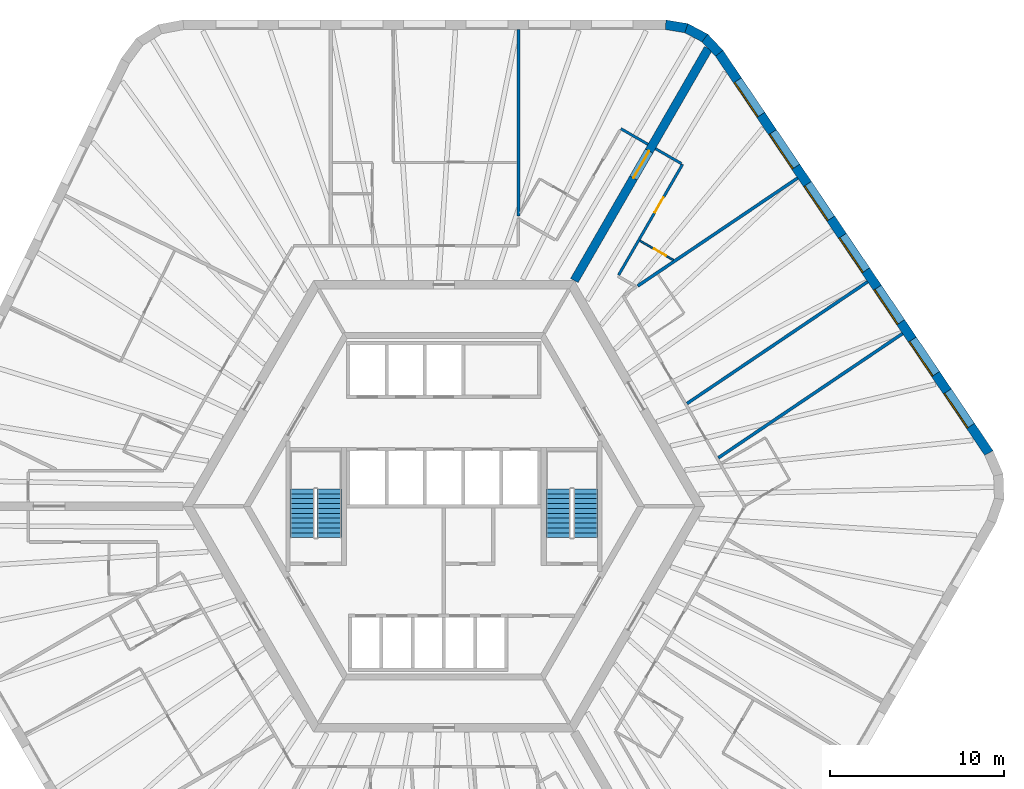
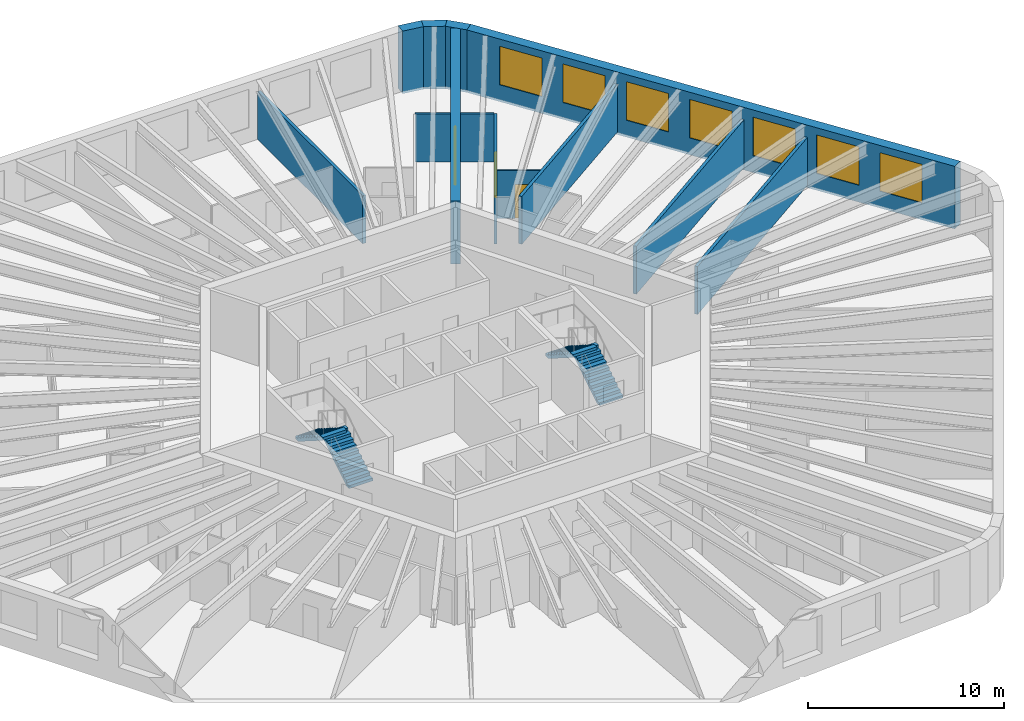
# One storey, part 9 of 10: 13 walls, 7 windows, 4 stair flights, 3 doors, 10 openings, 2 elements without a shape of their own.
"""IFC4 building model written with IfcOpenShell, lengths in metres."""

import ifcopenshell
import ifcopenshell.guid

model = None  # the IFC model being written
_history = None  # IfcOwnerHistory: only IFC2X3 demands one
_inside = {}  # id of a spatial element -> (the spatial element, [elements in it])
_under = {}  # id of a project, library or spatial element -> (it, [spatial elements below it])
_declared = {}  # id of a project -> (the project, [libraries it declares])
_typed = {}  # id of a type object -> (the type object, [elements of that type])
_made_of = {}  # id of a material, layer set ... -> (it, [elements and type objects made of it])


def new_model(schema):
    """Start an empty IFC model of exactly this schema.

    Asked for "IFC4X3", IfcOpenShell would pick the latest addendum, in which some entities
    have other attributes; the version numbers below select the first issue.
    IFC2X3 requires an IfcOwnerHistory on every rooted entity: one is made here for all.
    """
    global model, _history
    if schema == "IFC4X3":
        model = ifcopenshell.file(schema_version=(4, 3, 0, 0))
    else:
        model = ifcopenshell.file(schema=schema)
    _inside.clear()
    _under.clear()
    _declared.clear()
    _typed.clear()
    _made_of.clear()
    _history = None
    if model.schema == "IFC2X3":
        org = make("IfcOrganization", Name="unknown")
        user = make(
            "IfcPersonAndOrganization",
            ThePerson=make("IfcPerson", FamilyName="unknown"),
            TheOrganization=org,
        )
        app = make(
            "IfcApplication",
            ApplicationDeveloper=org,
            Version="unknown",
            ApplicationFullName="unknown",
            ApplicationIdentifier="unknown",
        )
        _history = make(
            "IfcOwnerHistory",
            OwningUser=user,
            OwningApplication=app,
            ChangeAction="ADDED",
            CreationDate=0,
        )
    return model


def make(cls, **values):
    """One entity of the class cls with the attributes given. An attribute that is None is left unset."""
    return model.create_entity(
        cls, **{name: value for name, value in values.items() if value is not None}
    )


def rooted(cls, **values):
    """An entity with a GlobalId (a new one), such as an element, a storey or a relation."""
    return make(cls, GlobalId=ifcopenshell.guid.new(), OwnerHistory=_history, **values)


def si_unit(unit_type, name, prefix=None):
    """IfcSIUnit, for example si_unit("LENGTHUNIT", "METRE", prefix="MILLI")."""
    return make("IfcSIUnit", UnitType=unit_type, Prefix=prefix, Name=name)


def assignment(units):
    """IfcUnitAssignment: the units of a project."""
    return None if units is None else make("IfcUnitAssignment", Units=units)


def point(xyz):
    """IfcCartesianPoint."""
    return None if xyz is None else make("IfcCartesianPoint", Coordinates=xyz)


def direction(xyz):
    """IfcDirection."""
    return None if xyz is None else make("IfcDirection", DirectionRatios=xyz)


def frame(location, z_axis=None, x_axis=None):
    """IfcAxis2Placement3D, a coordinate frame: its origin and axes. An axis left out is left unset."""
    return make(
        "IfcAxis2Placement3D",
        Location=point(location),
        Axis=direction(z_axis),
        RefDirection=direction(x_axis),
    )


def frame_2d(location, x_axis=None):
    """IfcAxis2Placement2D, a coordinate frame in the plane: its origin and x axis."""
    return make(
        "IfcAxis2Placement2D", Location=point(location), RefDirection=direction(x_axis)
    )


def origin():
    """The frame at (0, 0, 0) with its axes left unset."""
    return frame((0.0, 0.0, 0.0))


def place(relative_to, where):
    """IfcLocalPlacement: puts the frame where relative to a parent placement (None: the world)."""
    return make(
        "IfcLocalPlacement", PlacementRelTo=relative_to, RelativePlacement=where
    )


def context(
    kind, dimensions, precision=None, world=None, true_north=None, identifier=None
):
    """IfcGeometricRepresentationContext, for example the 3D "Model" context."""
    return make(
        "IfcGeometricRepresentationContext",
        ContextIdentifier=identifier,
        ContextType=kind,
        CoordinateSpaceDimension=dimensions,
        Precision=precision,
        WorldCoordinateSystem=world,
        TrueNorth=true_north,
    )


def subcontext(parent, identifier, kind, view, scale=None):
    """IfcGeometricRepresentationSubContext, for example "Body" below "Model"."""
    return make(
        "IfcGeometricRepresentationSubContext",
        ContextIdentifier=identifier,
        ContextType=kind,
        ParentContext=parent,
        TargetScale=scale,
        TargetView=view,
    )


def project(units=None, contexts=None):
    """IfcProject with its units and contexts."""
    return rooted(
        "IfcProject",
        Name="project",
        RepresentationContexts=contexts,
        UnitsInContext=assignment(units),
    )


def spatial(cls, under=None, at=None, **own):
    """A site, building, storey or space (cls), placed at a placement, below another one or the project."""
    s = rooted(cls, ObjectPlacement=at, **own)
    if under is not None:
        _under.setdefault(under.id(), (under, []))[1].append(s)
    return s


def polyline(points):
    """IfcPolyline through the points."""
    return make("IfcPolyline", Points=[point(p) for p in points])


def profile(cls, at=None, kind="AREA", **sizes):
    """A parametric profile (cls). Its sizes go by their IFC names, for example OverallWidth=200.0."""
    return make(cls, ProfileType=kind, Position=at, **sizes)


def rectangle(**sizes):
    """IfcRectangleProfileDef."""
    return profile("IfcRectangleProfileDef", **sizes)


def outline(outer, holes=None, kind="AREA"):
    """IfcArbitraryClosedProfileDef: a profile drawn as a closed curve; with holes, ...WithVoids."""
    if holes is None:
        return make("IfcArbitraryClosedProfileDef", ProfileType=kind, OuterCurve=outer)
    return make(
        "IfcArbitraryProfileDefWithVoids",
        ProfileType=kind,
        OuterCurve=outer,
        InnerCurves=holes,
    )


def extrude(swept, where, along, depth):
    """IfcExtrudedAreaSolid: the profile swept, set in the frame where, extruded along a direction by depth."""
    return make(
        "IfcExtrudedAreaSolid",
        SweptArea=swept,
        Position=where,
        ExtrudedDirection=direction(along),
        Depth=depth,
    )


def shape(context_of_items, identifier, shape_type, items):
    """IfcShapeRepresentation: the items that make up one representation, for example the "Body"."""
    return make(
        "IfcShapeRepresentation",
        ContextOfItems=context_of_items,
        RepresentationIdentifier=identifier,
        RepresentationType=shape_type,
        Items=items,
    )


def material(Name=None, Category=None):
    """IfcMaterial."""
    return make("IfcMaterial", Name=Name, Category=Category)


def layer(
    of_material, thickness, ventilated=None, Name=None, Category=None, Priority=None
):
    """IfcMaterialLayer: one layer of a wall or slab, of a material (None: an air gap)."""
    return make(
        "IfcMaterialLayer",
        Material=of_material,
        LayerThickness=thickness,
        IsVentilated=ventilated,
        Name=Name,
        Category=Category,
        Priority=Priority,
    )


def layer_set(layers, Name=None):
    """IfcMaterialLayerSet."""
    return make("IfcMaterialLayerSet", MaterialLayers=layers, LayerSetName=Name)


def made_of(thing, what):
    """Note that an element or type object is made of a material, layer set ...; save() writes the relation."""
    if what is not None:
        _made_of.setdefault(what.id(), (what, []))[1].append(thing)
    return thing


def type_object(cls, material=None, **own):
    """A type object (cls), such as IfcWallType, which elements share."""
    return made_of(rooted(cls, **own), material)


def element(
    cls,
    number,
    at=None,
    inside=None,
    cuts=None,
    type_object=None,
    material=None,
    context=None,
    identifier="Body",
    shape_type=None,
    held_by="IfcProductDefinitionShape",
    body=None,
    shapes=None,
    **own,
):
    """One element of the class cls, such as IfcWall. Its Tag is "e" and its number.

    at: its placement. inside: the storey or other place that contains it. cuts: it is an
    opening in that element (IfcRelVoidsElement). A single representation is given by context,
    identifier, shape_type and body (its items); several are given by shapes. held_by: the class
    of the entity that holds the representations. save() writes the other relations.
    """
    e = rooted(cls, Tag="e%d" % number, ObjectPlacement=at, **own)
    if body is not None:
        shapes = [shape(context, identifier, shape_type, body)]
    if shapes is not None:
        e.Representation = make(held_by, Representations=shapes)
    if inside is not None:
        _inside.setdefault(inside.id(), (inside, []))[1].append(e)
    if cuts is not None:
        rooted(
            "IfcRelVoidsElement", RelatingBuildingElement=cuts, RelatedOpeningElement=e
        )
    if type_object is not None:
        _typed.setdefault(type_object.id(), (type_object, []))[1].append(e)
    return made_of(e, material)


def fill(opening, filler):
    """IfcRelFillsElement: the door or window that sits in an opening."""
    return rooted(
        "IfcRelFillsElement",
        RelatingOpeningElement=opening,
        RelatedBuildingElement=filler,
    )


def aggregate(whole, parts):
    """IfcRelAggregates: a whole, such as a stair, and the parts it consists of."""
    return rooted("IfcRelAggregates", RelatingObject=whole, RelatedObjects=parts)


def save(model, path):
    """Write the relations noted so far, then the file.

    IfcRelAggregates (storeys below a building ...), IfcRelContainedInSpatialStructure (elements
    in a storey), IfcRelDefinesByType, IfcRelAssociatesMaterial and IfcRelDeclares: one each for
    every whole, place, type object, material and project.
    """
    for whole, parts in _under.values():
        aggregate(whole, parts)
    for where, things in _inside.values():
        rooted(
            "IfcRelContainedInSpatialStructure",
            RelatedElements=things,
            RelatingStructure=where,
        )
    for kind, things in _typed.values():
        rooted("IfcRelDefinesByType", RelatedObjects=things, RelatingType=kind)
    for what, things in _made_of.values():
        rooted("IfcRelAssociatesMaterial", RelatedObjects=things, RelatingMaterial=what)
    for by, libraries in _declared.values():
        rooted("IfcRelDeclares", RelatingContext=by, RelatedDefinitions=libraries)
    model.write(path)


model = new_model("IFC4")

# Units and contexts
model_context = context("Model", 3, precision=1e-05, world=origin(), true_north=direction((0.0, 1.0)))
body_context = subcontext(model_context, "Body", "Model", "MODEL_VIEW")
ifc_project = project(units=[si_unit("LENGTHUNIT", "METRE"), si_unit("AREAUNIT", "SQUARE_METRE"), si_unit("VOLUMEUNIT", "CUBIC_METRE"), si_unit("PLANEANGLEUNIT", "RADIAN"), si_unit("MASSUNIT", "GRAM", prefix="KILO")], contexts=[model_context])

# Site, building, storey
site_placement = place(None, origin())
site = spatial("IfcSite", under=ifc_project, at=site_placement, CompositionType="ELEMENT")
building_placement = place(site_placement, origin())
building = spatial("IfcBuilding", under=site, at=building_placement, Name="Tarnside Tower", CompositionType="ELEMENT")
storey_placement = place(building_placement, frame((0.0, 0.0, 203.39990234375)))
storey = spatial("IfcBuildingStorey", under=building, at=storey_placement, Name="L48", CompositionType="ELEMENT", Elevation=203.39990234375)

# Wall, opening, door
ifc_material_1 = material(Name="Gypsum board partition on steel studs", Category="steel")
ifc_layer_1 = layer(ifc_material_1, 0.10009765625)
ifc_layer_set_1 = layer_set([ifc_layer_1], Name="Bathroom wall 100")
wall_type_1 = type_object("IfcWallType", Name="Bathroom wall 100", PredefinedType="PARTITIONING", material=ifc_layer_set_1)
wall_1_placement = place(storey_placement, frame((11.28369140625, 15.294189453125, 0.0), z_axis=(0.0, 0.0, 1.0), x_axis=(0.866017295027, -0.500014044516, 0.0)))
wall_1 = element("IfcWall", 1, at=wall_1_placement, inside=storey, type_object=wall_type_1, Name="Bathroom wall 15113", PredefinedType="PARTITIONING", context=body_context, shape_type="SweptSolid", body=[
    extrude(rectangle(XDim=2.22265625, YDim=0.10009765625, at=frame_2d((1.111328125, 0.0))), origin(), (0.0, 0.0, 1.0), 2.98779296875),
])
opening_1_placement = place(wall_1_placement, frame((0.925048828125, 0.0, 0.0)))
opening_1 = element("IfcOpeningElement", 2, at=opening_1_placement, cuts=wall_1, Name="Opening D-B1", PredefinedType="OPENING", context=body_context, shape_type="SweptSolid", body=[
    extrude(rectangle(XDim=0.800048828125, YDim=2.10009765625, at=frame_2d((0.39990234375, 1.050048828125))), frame((0.0, 0.06005859375, 0.0), z_axis=(0.0, -1.0, 0.0), x_axis=(1.0, 0.0, 0.0)), (0.0, 0.0, 1.0), 0.1201171875),
])
ifc_material_2 = material(Name="Timber door leaf", Category="wood")
door_type_1 = type_object("IfcDoorType", Name="Bathroom door 800", OperationType="NOTDEFINED", PredefinedType="DOOR", material=ifc_material_2)
door_1_placement = place(opening_1_placement, origin())
door_1 = element("IfcDoor", 3, at=door_1_placement, inside=storey, type_object=door_type_1, Name="Bathroom door 15036", OperationType="SINGLE_SWING_LEFT", OverallHeight=2.10009765625, OverallWidth=0.800048828125, PredefinedType="DOOR", context=body_context, shape_type="SweptSolid", body=[
    extrude(rectangle(XDim=0.800048828125, YDim=2.10009765625, at=frame_2d((0.39990234375, 1.050048828125))), frame((0.0, 0.02490234375, 0.0), z_axis=(0.0, -1.0, 0.0), x_axis=(1.0, 0.0, 0.0)), (0.0, 0.0, 1.0), 0.050048828125),
])
fill(opening_1, door_1)

ifc_material_3 = material(Name="Concrete C70/85", Category="concrete")
ifc_layer_2 = layer(ifc_material_3, 0.5)
ifc_layer_set_2 = layer_set([ifc_layer_2], Name="Core wall Z2 500 C70/85")
wall_type_2 = type_object("IfcWallType", Name="Core wall Z2 500 C70/85", PredefinedType="SHEAR", material=ifc_layer_set_2)
wall_2_placement = place(storey_placement, frame((7.505615234375, 13.0, -0.14990234375), z_axis=(0.0, 0.0, 1.0), x_axis=(0.499988271576, 0.866032175087, 0.0)))
wall_2 = element("IfcWall", 4, at=wall_2_placement, inside=storey, type_object=wall_type_2, Name="L48 spine wall 1", PredefinedType="SHEAR", context=body_context, shape_type="SweptSolid", body=[
    extrude(rectangle(XDim=15.423583984375, YDim=0.5, at=frame_2d((7.7119140625, 0.0))), origin(), (0.0, 0.0, 1.0), 3.89990234375),
])
opening_2_placement = place(wall_2_placement, frame((6.811767578125, 0.0, 0.14990234375)))
opening_2 = element("IfcOpeningElement", 5, at=opening_2_placement, cuts=wall_2, Name="Opening CD-SPN", PredefinedType="OPENING", context=body_context, shape_type="SweptSolid", body=[
    extrude(rectangle(XDim=1.800048828125, YDim=2.39990234375, at=frame_2d((0.89990234375, 1.199951171875))), frame((0.0, 0.260009765625, 0.0), z_axis=(0.0, -1.0, 0.0), x_axis=(1.0, 0.0, 0.0)), (0.0, 0.0, 1.0), 0.52001953125),
])
ifc_material_4 = material(Name="Steel fire door", Category="steel")
door_type_2 = type_object("IfcDoorType", Name="Spine passage double door FD60 1800x2400", OperationType="NOTDEFINED", PredefinedType="DOOR", material=ifc_material_4)
door_2_placement = place(opening_2_placement, origin())
door_2 = element("IfcDoor", 6, at=door_2_placement, inside=storey, type_object=door_type_2, Name="L48 spine passage door 1", OperationType="DOUBLE_DOOR_SINGLE_SWING", OverallHeight=2.39990234375, OverallWidth=1.800048828125, PredefinedType="DOOR", context=body_context, shape_type="SweptSolid", body=[
    extrude(rectangle(XDim=1.800048828125, YDim=2.39990234375, at=frame_2d((0.89990234375, 1.199951171875))), frame((0.0, 0.02490234375, 0.0), z_axis=(0.0, -1.0, 0.0), x_axis=(1.0, 0.0, 0.0)), (0.0, 0.0, 1.0), 0.050048828125),
])
fill(opening_2, door_2)

# Wall
ifc_layer_3 = layer(ifc_material_1, 0.14990234375)
ifc_layer_set_3 = layer_set([ifc_layer_3], Name="Corridor wall 150 EI 60")
wall_type_3 = type_object("IfcWallType", Name="Corridor wall 150 EI 60", PredefinedType="PARTITIONING", material=ifc_layer_set_3)
wall_3_placement = place(storey_placement, frame((11.744873046875, 20.8427734375, 0.0), z_axis=(0.0, 0.0, 1.0), x_axis=(-0.865989075817, 0.500062916607, 0.0)))
element("IfcWall", 7, at=wall_3_placement, inside=storey, type_object=wall_type_3, Name="Corridor wall 15001", PredefinedType="PARTITIONING", context=body_context, shape_type="SweptSolid", body=[
    extrude(rectangle(XDim=1.800048828125, YDim=0.14990234375, at=frame_2d((0.89990234375, 0.0))), origin(), (0.0, 0.0, 1.0), 2.98779296875),
])

# Wall, opening, door
wall_4_placement = place(storey_placement, frame((10.056396484375, 13.318115234375, 0.0), z_axis=(0.0, 0.0, 1.0), x_axis=(0.499995202058, 0.86602817386, 0.0)))
wall_4 = element("IfcWall", 8, at=wall_4_placement, inside=storey, type_object=wall_type_3, Name="Corridor wall 15046", PredefinedType="PARTITIONING", context=body_context, shape_type="SweptSolid", body=[
    extrude(rectangle(XDim=7.36083984375, YDim=0.14990234375, at=frame_2d((3.680419921875, 0.0))), origin(), (0.0, 0.0, 1.0), 2.98779296875),
])
opening_3_placement = place(wall_4_placement, frame((4.16796875, 0.0, 0.0)))
opening_3 = element("IfcOpeningElement", 9, at=opening_3_placement, cuts=wall_4, Name="Opening D-E1", PredefinedType="OPENING", context=body_context, shape_type="SweptSolid", body=[
    extrude(rectangle(XDim=1.0, YDim=2.10009765625, at=frame_2d((0.5, 1.050048828125))), frame((0.0, 0.0849609375, 0.0), z_axis=(0.0, -1.0, 0.0), x_axis=(1.0, 0.0, 0.0)), (0.0, 0.0, 1.0), 0.169921875),
])
door_type_3 = type_object("IfcDoorType", Name="Unit entrance door 1000 FD30S", OperationType="NOTDEFINED", PredefinedType="DOOR", material=ifc_material_2)
door_3_placement = place(opening_3_placement, origin())
door_3 = element("IfcDoor", 10, at=door_3_placement, inside=storey, type_object=door_type_3, Name="Unit door 15035", OperationType="SINGLE_SWING_RIGHT", OverallHeight=2.10009765625, OverallWidth=1.0, PredefinedType="DOOR", context=body_context, shape_type="SweptSolid", body=[
    extrude(rectangle(XDim=1.0, YDim=2.10009765625, at=frame_2d((0.5, 1.050048828125))), frame((0.0, 0.02490234375, 0.0), z_axis=(0.0, -1.0, 0.0), x_axis=(1.0, 0.0, 0.0)), (0.0, 0.0, 1.0), 0.050048828125),
])
fill(opening_3, door_3)

# Walls
wall_5_placement = place(storey_placement, frame((13.671875, 19.73046875, 0.0), z_axis=(0.0, 0.0, 1.0), x_axis=(-0.866074815912, 0.499914405916, 0.0)))
element("IfcWall", 11, at=wall_5_placement, inside=storey, type_object=wall_type_3, Name="Corridor wall 15047", PredefinedType="PARTITIONING", context=body_context, shape_type="SweptSolid", body=[
    extrude(rectangle(XDim=1.724853515625, YDim=0.14990234375, at=frame_2d((0.8623046875, 0.0))), origin(), (0.0, 0.0, 1.0), 2.98779296875),
])
ifc_layer_4 = layer(ifc_material_1, 0.179931640625)
ifc_layer_set_4 = layer_set([ifc_layer_4], Name="Demising wall 180 EI 60")
wall_type_4 = type_object("IfcWallType", Name="Demising wall 180 EI 60", PredefinedType="PARTITIONING", material=ifc_layer_set_4)
wall_6_placement = place(storey_placement, frame((4.2822265625, 27.449951171875, 0.0), z_axis=(0.0, 0.0, 1.0), x_axis=(0.0, -1.0, 0.0)))
element("IfcWall", 12, at=wall_6_placement, inside=storey, type_object=wall_type_4, Name="Demising wall 15052", PredefinedType="PARTITIONING", context=body_context, shape_type="SweptSolid", body=[
    extrude(rectangle(XDim=10.735107421875, YDim=0.179931640625, at=frame_2d((5.36767578125, 0.0))), origin(), (0.0, 0.0, 1.0), 2.98779296875),
])
wall_7_placement = place(storey_placement, frame((26.40185546875, 9.9462890625, 0.0), z_axis=(0.0, 0.0, 1.0), x_axis=(-0.829037771727, -0.559192608187, 0.0)))
element("IfcWall", 13, at=wall_7_placement, inside=storey, type_object=wall_type_4, Name="Demising wall 15106", PredefinedType="PARTITIONING", context=body_context, shape_type="SweptSolid", body=[
    extrude(rectangle(XDim=12.7939453125, YDim=0.179931640625, at=frame_2d((6.39697265625, 0.0))), origin(), (0.0, 0.0, 1.0), 2.98779296875),
])
wall_8_placement = place(storey_placement, frame((24.388671875, 12.9306640625, 0.0), z_axis=(0.0, 0.0, 1.0), x_axis=(-0.829040439793, -0.559188652593, 0.0)))
element("IfcWall", 14, at=wall_8_placement, inside=storey, type_object=wall_type_4, Name="Demising wall 15107", PredefinedType="PARTITIONING", context=body_context, shape_type="SweptSolid", body=[
    extrude(rectangle(XDim=12.542236328125, YDim=0.179931640625, at=frame_2d((6.27099609375, 0.0))), origin(), (0.0, 0.0, 1.0), 2.98779296875),
])
wall_9_placement = place(storey_placement, frame((20.362548828125, 18.89990234375, 0.0), z_axis=(0.0, 0.0, 1.0), x_axis=(-0.82903304346, -0.559199618072, 0.0)))
element("IfcWall", 15, at=wall_9_placement, inside=storey, type_object=wall_type_4, Name="Demising wall 15110", PredefinedType="PARTITIONING", context=body_context, shape_type="SweptSolid", body=[
    extrude(rectangle(XDim=11.111572265625, YDim=0.179931640625, at=frame_2d((5.5556640625, 0.0))), origin(), (0.0, 0.0, 1.0), 2.98779296875),
])

# Wall, openings, windows
ifc_material_5 = material(Name="Facing brick", Category="masonry")
ifc_layer_5 = layer(ifc_material_5, 0.10205078125)
ifc_material_6 = material(Name="Concrete C60/75 precast", Category="concrete")
ifc_layer_6 = layer(ifc_material_6, 0.347900390625)
ifc_material_7 = material(Name="Mineral wool insulation")
ifc_layer_7 = layer(ifc_material_7, 0.10009765625)
ifc_layer_set_5 = layer_set([ifc_layer_5, ifc_layer_6, ifc_layer_7], Name="Tube wall 550 brick faced")
wall_type_5 = type_object("IfcWallType", Name="Tube wall 550 brick faced", PredefinedType="SOLIDWALL", material=ifc_layer_set_5)
wall_10_placement = place(storey_placement, frame((31.37109375, 3.070556640625, -0.14990234375), z_axis=(0.0, 0.0, 1.0), x_axis=(-0.559189891278, 0.829039604297, 0.0)))
wall_10 = element("IfcWall", 16, at=wall_10_placement, inside=storey, type_object=wall_type_5, Name="Tube wall L48 F6 flush 20", PredefinedType="SOLIDWALL", context=body_context, shape_type="SweptSolid", body=[
    extrude(outline(polyline([(-0.025634765625, -0.27490234375), (27.780517578125, -0.27490234375), (27.735595703125, 0.27490234375), (0.025634765625, 0.27490234375), (-0.025634765625, -0.27490234375)])), origin(), (0.0, 0.0, 1.0), 3.89990234375),
])
opening_4_placement = place(wall_10_placement, frame((1.87890625, 0.0, 1.050048828125)))
opening_4 = element("IfcOpeningElement", 17, at=opening_4_placement, cuts=wall_10, Name="Opening WH", PredefinedType="OPENING", context=body_context, shape_type="SweptSolid", body=[
    extrude(rectangle(XDim=2.39990234375, YDim=2.39990234375, at=frame_2d((1.199951171875, 1.199951171875))), frame((0.0, 0.28515625, 0.0), z_axis=(0.0, -1.0, 0.0), x_axis=(1.0, 0.0, 0.0)), (0.0, 0.0, 1.0), 0.570068359375),
])
opening_5_placement = place(wall_10_placement, frame((5.47900390625, 0.0, 1.050048828125)))
opening_5 = element("IfcOpeningElement", 18, at=opening_5_placement, cuts=wall_10, Name="Opening WH", PredefinedType="OPENING", context=body_context, shape_type="SweptSolid", body=[
    extrude(rectangle(XDim=2.39990234375, YDim=2.39990234375, at=frame_2d((1.199951171875, 1.199951171875))), frame((0.0, 0.28515625, 0.0), z_axis=(0.0, -1.0, 0.0), x_axis=(1.0, 0.0, 0.0)), (0.0, 0.0, 1.0), 0.570068359375),
])
opening_6_placement = place(wall_10_placement, frame((9.078857421875, 0.0, 1.050048828125)))
opening_6 = element("IfcOpeningElement", 19, at=opening_6_placement, cuts=wall_10, Name="Opening WH", PredefinedType="OPENING", context=body_context, shape_type="SweptSolid", body=[
    extrude(rectangle(XDim=2.39990234375, YDim=2.39990234375, at=frame_2d((1.199951171875, 1.199951171875))), frame((0.0, 0.28515625, 0.0), z_axis=(0.0, -1.0, 0.0), x_axis=(1.0, 0.0, 0.0)), (0.0, 0.0, 1.0), 0.570068359375),
])
opening_7_placement = place(wall_10_placement, frame((12.678955078125, 0.0, 1.050048828125)))
opening_7 = element("IfcOpeningElement", 20, at=opening_7_placement, cuts=wall_10, Name="Opening WH", PredefinedType="OPENING", context=body_context, shape_type="SweptSolid", body=[
    extrude(rectangle(XDim=2.39990234375, YDim=2.39990234375, at=frame_2d((1.199951171875, 1.199951171875))), frame((0.0, 0.28515625, 0.0), z_axis=(0.0, -1.0, 0.0), x_axis=(1.0, 0.0, 0.0)), (0.0, 0.0, 1.0), 0.570068359375),
])
opening_8_placement = place(wall_10_placement, frame((16.27880859375, 0.0, 1.050048828125)))
opening_8 = element("IfcOpeningElement", 21, at=opening_8_placement, cuts=wall_10, Name="Opening WH", PredefinedType="OPENING", context=body_context, shape_type="SweptSolid", body=[
    extrude(rectangle(XDim=2.39990234375, YDim=2.39990234375, at=frame_2d((1.199951171875, 1.199951171875))), frame((0.0, 0.28515625, 0.0), z_axis=(0.0, -1.0, 0.0), x_axis=(1.0, 0.0, 0.0)), (0.0, 0.0, 1.0), 0.570068359375),
])
opening_9_placement = place(wall_10_placement, frame((19.87890625, 0.0, 1.050048828125)))
opening_9 = element("IfcOpeningElement", 22, at=opening_9_placement, cuts=wall_10, Name="Opening WH", PredefinedType="OPENING", context=body_context, shape_type="SweptSolid", body=[
    extrude(rectangle(XDim=2.39990234375, YDim=2.39990234375, at=frame_2d((1.199951171875, 1.199951171875))), frame((0.0, 0.28515625, 0.0), z_axis=(0.0, -1.0, 0.0), x_axis=(1.0, 0.0, 0.0)), (0.0, 0.0, 1.0), 0.570068359375),
])
opening_10_placement = place(wall_10_placement, frame((23.47900390625, 0.0, 1.050048828125)))
opening_10 = element("IfcOpeningElement", 23, at=opening_10_placement, cuts=wall_10, Name="Opening WH", PredefinedType="OPENING", context=body_context, shape_type="SweptSolid", body=[
    extrude(rectangle(XDim=2.39990234375, YDim=2.39990234375, at=frame_2d((1.199951171875, 1.199951171875))), frame((0.0, 0.28515625, 0.0), z_axis=(0.0, -1.0, 0.0), x_axis=(1.0, 0.0, 0.0)), (0.0, 0.0, 1.0), 0.570068359375),
])
ifc_material_8 = material(Name="Aluminium-framed double glazing", Category="aluminium")
window_type = type_object("IfcWindowType", Name="Hotel window 2400 x 2400", PartitioningType="DOUBLE_PANEL_VERTICAL", PredefinedType="WINDOW", material=ifc_material_8)
window_1_placement = place(opening_4_placement, frame((0.0, 0.205078125, 0.0)))
window_1 = element("IfcWindow", 24, at=window_1_placement, inside=storey, type_object=window_type, Name="E.WN.L48.F6.00", OverallHeight=2.39990234375, OverallWidth=2.39990234375, PartitioningType="DOUBLE_PANEL_VERTICAL", PredefinedType="WINDOW", context=body_context, shape_type="SweptSolid", body=[
    extrude(rectangle(XDim=2.39990234375, YDim=2.39990234375, at=frame_2d((1.199951171875, 1.199951171875))), frame((0.0, 0.030029296875, 0.0), z_axis=(0.0, -1.0, 0.0), x_axis=(1.0, 0.0, 0.0)), (0.0, 0.0, 1.0), 0.06005859375),
])
fill(opening_4, window_1)
window_2_placement = place(opening_5_placement, frame((0.0, 0.205078125, 0.0)))
window_2 = element("IfcWindow", 25, at=window_2_placement, inside=storey, type_object=window_type, Name="E.WN.L48.F6.01", OverallHeight=2.39990234375, OverallWidth=2.39990234375, PartitioningType="DOUBLE_PANEL_VERTICAL", PredefinedType="WINDOW", context=body_context, shape_type="SweptSolid", body=[
    extrude(rectangle(XDim=2.39990234375, YDim=2.39990234375, at=frame_2d((1.199951171875, 1.199951171875))), frame((0.0, 0.030029296875, 0.0), z_axis=(0.0, -1.0, 0.0), x_axis=(1.0, 0.0, 0.0)), (0.0, 0.0, 1.0), 0.06005859375),
])
fill(opening_5, window_2)
window_3_placement = place(opening_6_placement, frame((0.0, 0.205078125, 0.0)))
window_3 = element("IfcWindow", 26, at=window_3_placement, inside=storey, type_object=window_type, Name="E.WN.L48.F6.02", OverallHeight=2.39990234375, OverallWidth=2.39990234375, PartitioningType="DOUBLE_PANEL_VERTICAL", PredefinedType="WINDOW", context=body_context, shape_type="SweptSolid", body=[
    extrude(rectangle(XDim=2.39990234375, YDim=2.39990234375, at=frame_2d((1.199951171875, 1.199951171875))), frame((0.0, 0.030029296875, 0.0), z_axis=(0.0, -1.0, 0.0), x_axis=(1.0, 0.0, 0.0)), (0.0, 0.0, 1.0), 0.06005859375),
])
fill(opening_6, window_3)
window_4_placement = place(opening_7_placement, frame((0.0, 0.205078125, 0.0)))
window_4 = element("IfcWindow", 27, at=window_4_placement, inside=storey, type_object=window_type, Name="E.WN.L48.F6.03", OverallHeight=2.39990234375, OverallWidth=2.39990234375, PartitioningType="DOUBLE_PANEL_VERTICAL", PredefinedType="WINDOW", context=body_context, shape_type="SweptSolid", body=[
    extrude(rectangle(XDim=2.39990234375, YDim=2.39990234375, at=frame_2d((1.199951171875, 1.199951171875))), frame((0.0, 0.030029296875, 0.0), z_axis=(0.0, -1.0, 0.0), x_axis=(1.0, 0.0, 0.0)), (0.0, 0.0, 1.0), 0.06005859375),
])
fill(opening_7, window_4)
window_5_placement = place(opening_8_placement, frame((0.0, 0.205078125, 0.0)))
window_5 = element("IfcWindow", 28, at=window_5_placement, inside=storey, type_object=window_type, Name="E.WN.L48.F6.04", OverallHeight=2.39990234375, OverallWidth=2.39990234375, PartitioningType="DOUBLE_PANEL_VERTICAL", PredefinedType="WINDOW", context=body_context, shape_type="SweptSolid", body=[
    extrude(rectangle(XDim=2.39990234375, YDim=2.39990234375, at=frame_2d((1.199951171875, 1.199951171875))), frame((0.0, 0.030029296875, 0.0), z_axis=(0.0, -1.0, 0.0), x_axis=(1.0, 0.0, 0.0)), (0.0, 0.0, 1.0), 0.06005859375),
])
fill(opening_8, window_5)
window_6_placement = place(opening_9_placement, frame((0.0, 0.205078125, 0.0)))
window_6 = element("IfcWindow", 29, at=window_6_placement, inside=storey, type_object=window_type, Name="E.WN.L48.F6.05", OverallHeight=2.39990234375, OverallWidth=2.39990234375, PartitioningType="DOUBLE_PANEL_VERTICAL", PredefinedType="WINDOW", context=body_context, shape_type="SweptSolid", body=[
    extrude(rectangle(XDim=2.39990234375, YDim=2.39990234375, at=frame_2d((1.199951171875, 1.199951171875))), frame((0.0, 0.030029296875, 0.0), z_axis=(0.0, -1.0, 0.0), x_axis=(1.0, 0.0, 0.0)), (0.0, 0.0, 1.0), 0.06005859375),
])
fill(opening_9, window_6)
window_7_placement = place(opening_10_placement, frame((0.0, 0.205078125, 0.0)))
window_7 = element("IfcWindow", 30, at=window_7_placement, inside=storey, type_object=window_type, Name="E.WN.L48.F6.06", OverallHeight=2.39990234375, OverallWidth=2.39990234375, PartitioningType="DOUBLE_PANEL_VERTICAL", PredefinedType="WINDOW", context=body_context, shape_type="SweptSolid", body=[
    extrude(rectangle(XDim=2.39990234375, YDim=2.39990234375, at=frame_2d((1.199951171875, 1.199951171875))), frame((0.0, 0.030029296875, 0.0), z_axis=(0.0, -1.0, 0.0), x_axis=(1.0, 0.0, 0.0)), (0.0, 0.0, 1.0), 0.06005859375),
])
fill(opening_10, window_7)

# Walls
wall_11_placement = place(storey_placement, frame((15.84912109375, 26.0830078125, -0.14990234375), z_axis=(0.0, 0.0, 1.0), x_axis=(-0.686196220404, 0.727416488061, 0.0)))
element("IfcWall", 31, at=wall_11_placement, inside=storey, type_object=wall_type_5, Name="Tube wall L48 F6 chord 21", PredefinedType="SOLIDWALL", context=body_context, shape_type="SweptSolid", body=[
    extrude(outline(polyline([(-0.0224609375, -0.27490234375), (1.25341796875, -0.27490234375), (1.1630859375, 0.27490234375), (0.0224609375, 0.27490234375), (-0.0224609375, -0.27490234375)])), origin(), (0.0, 0.0, 1.0), 3.89990234375),
])
wall_12_placement = place(storey_placement, frame((15.02001953125, 26.9619140625, -0.14990234375), z_axis=(0.0, 0.0, 1.0), x_axis=(-0.882950818639, 0.469465495926, 0.0)))
element("IfcWall", 32, at=wall_12_placement, inside=storey, type_object=wall_type_5, Name="Tube wall L48 F6 chord 22", PredefinedType="SOLIDWALL", context=body_context, shape_type="SweptSolid", body=[
    extrude(outline(polyline([(-0.045166015625, -0.27490234375), (1.253173828125, -0.27490234375), (1.162841796875, 0.27490234375), (0.045166015625, 0.27490234375), (-0.045166015625, -0.27490234375)])), origin(), (0.0, 0.0, 1.0), 3.89990234375),
])
wall_13_placement = place(storey_placement, frame((13.953369140625, 27.529052734375, -0.14990234375), z_axis=(0.0, 0.0, 1.0), x_axis=(-0.986751945211, 0.162236243244, 0.0)))
element("IfcWall", 33, at=wall_13_placement, inside=storey, type_object=wall_type_5, Name="Tube wall L48 F6 chord 23", PredefinedType="SOLIDWALL", context=body_context, shape_type="SweptSolid", body=[
    extrude(outline(polyline([(-0.045166015625, -0.27490234375), (1.23095703125, -0.27490234375), (1.18603515625, 0.27490234375), (0.045166015625, 0.27490234375), (-0.045166015625, -0.27490234375)])), origin(), (0.0, 0.0, 1.0), 3.89990234375),
])

# Stair, stair flights
ifc_material_9 = material(Name="Concrete C40/50", Category="concrete")
stair_type = type_object("IfcStairType", Name="Exit stair 1400 clear", PredefinedType="HALF_TURN_STAIR", material=ifc_material_9)
stair_1_placement = place(storey_placement, origin())
stair_1 = element("IfcStair", 34, at=stair_1_placement, inside=storey, type_object=stair_type, Name="L48 Exit stair 1", PredefinedType="HALF_TURN_STAIR")
stair_flight_type = type_object("IfcStairFlightType", Name="Exit stair flight 1400", PredefinedType="STRAIGHT", material=ifc_material_9)
stair_flight_1_placement = place(storey_placement, frame((8.14990234375, -1.800048828125, 0.0), z_axis=(0.0, 0.0, 1.0), x_axis=(0.0, 1.0, 0.0)))
stair_flight_1 = element("IfcStairFlight", 35, at=stair_flight_1_placement, type_object=stair_flight_type, Name="ST1 flight 1", NumberOfRisers=11, NumberOfTreads=10, PredefinedType="STRAIGHT", RiserHeight=0.177272727, TreadLength=0.28, context=body_context, shape_type="SweptSolid", body=[
    extrude(outline(polyline([(0.0, 0.0), (0.0, 0.17724609375), (0.280029296875, 0.17724609375), (0.280029296875, 0.3544921875), (0.56005859375, 0.3544921875), (0.56005859375, 0.53173828125), (0.840087890625, 0.53173828125), (0.840087890625, 0.708984375), (1.1201171875, 0.708984375), (1.1201171875, 0.886474609375), (1.39990234375, 0.886474609375), (1.39990234375, 1.063720703125), (1.679931640625, 1.063720703125), (1.679931640625, 1.240966796875), (1.9599609375, 1.240966796875), (1.9599609375, 1.418212890625), (2.239990234375, 1.418212890625), (2.239990234375, 1.595458984375), (2.52001953125, 1.595458984375), (2.52001953125, 1.772705078125), (2.800048828125, 1.772705078125), (2.800048828125, 1.949951171875), (2.800048828125, 1.59521484375), (0.2802734375, 0.0), (0.0, 0.0)])), frame((0.0, 0.699951171875, 0.0), z_axis=(0.0, -1.0, 0.0), x_axis=(1.0, 0.0, 0.0)), (0.0, 0.0, 1.0), 1.39990234375),
])
stair_flight_2_placement = place(storey_placement, frame((6.60009765625, 1.0, 1.9501953125), z_axis=(0.0, 0.0, 1.0), x_axis=(0.0, -1.0, 0.0)))
stair_flight_2 = element("IfcStairFlight", 36, at=stair_flight_2_placement, type_object=stair_flight_type, Name="ST1 flight 2", NumberOfRisers=11, NumberOfTreads=10, PredefinedType="STRAIGHT", RiserHeight=0.177272727, TreadLength=0.28, context=body_context, shape_type="SweptSolid", body=[
    extrude(outline(polyline([(0.0, 0.0), (0.0, 0.17724609375), (0.280029296875, 0.17724609375), (0.280029296875, 0.3544921875), (0.56005859375, 0.3544921875), (0.56005859375, 0.53173828125), (0.840087890625, 0.53173828125), (0.840087890625, 0.708984375), (1.1201171875, 0.708984375), (1.1201171875, 0.886474609375), (1.39990234375, 0.886474609375), (1.39990234375, 1.063720703125), (1.679931640625, 1.063720703125), (1.679931640625, 1.240966796875), (1.9599609375, 1.240966796875), (1.9599609375, 1.418212890625), (2.239990234375, 1.418212890625), (2.239990234375, 1.595458984375), (2.52001953125, 1.595458984375), (2.52001953125, 1.772705078125), (2.800048828125, 1.772705078125), (2.800048828125, 1.949951171875), (2.800048828125, 1.59521484375), (0.2802734375, 0.0), (0.0, 0.0)])), frame((0.0, 0.699951171875, 0.0), z_axis=(0.0, -1.0, 0.0), x_axis=(1.0, 0.0, 0.0)), (0.0, 0.0, 1.0), 1.39990234375),
])
aggregate(stair_1, [stair_flight_1, stair_flight_2])

stair_2_placement = place(storey_placement, origin())
stair_2 = element("IfcStair", 37, at=stair_2_placement, inside=storey, type_object=stair_type, Name="L48 Exit stair 2", PredefinedType="HALF_TURN_STAIR")
stair_flight_3_placement = place(storey_placement, frame((-6.60009765625, -1.800048828125, 0.0), z_axis=(0.0, 0.0, 1.0), x_axis=(0.0, 1.0, 0.0)))
stair_flight_3 = element("IfcStairFlight", 38, at=stair_flight_3_placement, type_object=stair_flight_type, Name="ST2 flight 1", NumberOfRisers=11, NumberOfTreads=10, PredefinedType="STRAIGHT", RiserHeight=0.177272727, TreadLength=0.28, context=body_context, shape_type="SweptSolid", body=[
    extrude(outline(polyline([(0.0, 0.0), (0.0, 0.17724609375), (0.280029296875, 0.17724609375), (0.280029296875, 0.3544921875), (0.56005859375, 0.3544921875), (0.56005859375, 0.53173828125), (0.840087890625, 0.53173828125), (0.840087890625, 0.708984375), (1.1201171875, 0.708984375), (1.1201171875, 0.886474609375), (1.39990234375, 0.886474609375), (1.39990234375, 1.063720703125), (1.679931640625, 1.063720703125), (1.679931640625, 1.240966796875), (1.9599609375, 1.240966796875), (1.9599609375, 1.418212890625), (2.239990234375, 1.418212890625), (2.239990234375, 1.595458984375), (2.52001953125, 1.595458984375), (2.52001953125, 1.772705078125), (2.800048828125, 1.772705078125), (2.800048828125, 1.949951171875), (2.800048828125, 1.59521484375), (0.2802734375, 0.0), (0.0, 0.0)])), frame((0.0, 0.699951171875, 0.0), z_axis=(0.0, -1.0, 0.0), x_axis=(1.0, 0.0, 0.0)), (0.0, 0.0, 1.0), 1.39990234375),
])
stair_flight_4_placement = place(storey_placement, frame((-8.14990234375, 1.0, 1.9501953125), z_axis=(0.0, 0.0, 1.0), x_axis=(0.0, -1.0, 0.0)))
stair_flight_4 = element("IfcStairFlight", 39, at=stair_flight_4_placement, type_object=stair_flight_type, Name="ST2 flight 2", NumberOfRisers=11, NumberOfTreads=10, PredefinedType="STRAIGHT", RiserHeight=0.177272727, TreadLength=0.28, context=body_context, shape_type="SweptSolid", body=[
    extrude(outline(polyline([(0.0, 0.0), (0.0, 0.17724609375), (0.280029296875, 0.17724609375), (0.280029296875, 0.3544921875), (0.56005859375, 0.3544921875), (0.56005859375, 0.53173828125), (0.840087890625, 0.53173828125), (0.840087890625, 0.708984375), (1.1201171875, 0.708984375), (1.1201171875, 0.886474609375), (1.39990234375, 0.886474609375), (1.39990234375, 1.063720703125), (1.679931640625, 1.063720703125), (1.679931640625, 1.240966796875), (1.9599609375, 1.240966796875), (1.9599609375, 1.418212890625), (2.239990234375, 1.418212890625), (2.239990234375, 1.595458984375), (2.52001953125, 1.595458984375), (2.52001953125, 1.772705078125), (2.800048828125, 1.772705078125), (2.800048828125, 1.949951171875), (2.800048828125, 1.59521484375), (0.2802734375, 0.0), (0.0, 0.0)])), frame((0.0, 0.699951171875, 0.0), z_axis=(0.0, -1.0, 0.0), x_axis=(1.0, 0.0, 0.0)), (0.0, 0.0, 1.0), 1.39990234375),
])
aggregate(stair_2, [stair_flight_3, stair_flight_4])

save(model, "model.ifc")
